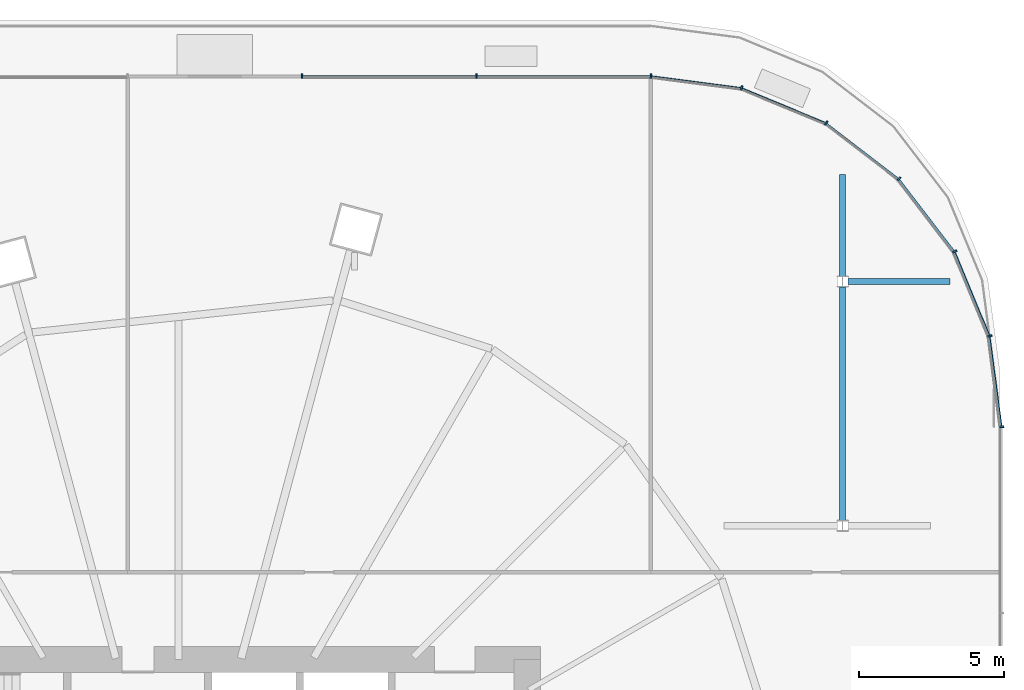
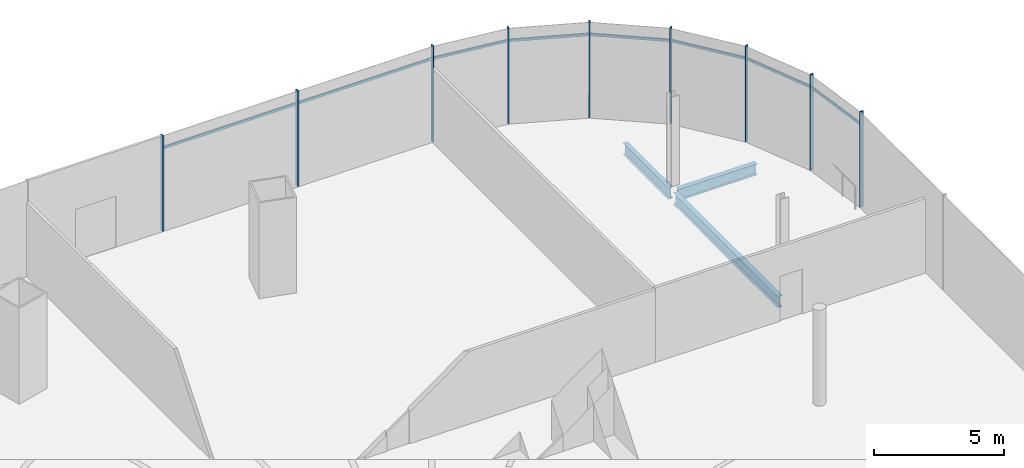
# One storey, part 30 of 52: 17 members, 3 beams, 1 element without a shape of its own.
"""IFC4 building model written with IfcOpenShell, lengths in metres."""

from ifc_helpers import new_model, si_unit, direction, frame, origin, origin_2d, place, context, subcontext, project, spatial, rectangle, i_section, extrude, material, material_profile, profile_set, type_object, element, aggregate, save


model = new_model("IFC4")

# Units and contexts
model_context = context("Model", 3, precision=1e-05, world=origin(), true_north=direction((0.0, 1.0)))
body_context = subcontext(model_context, "Body", "Model", "MODEL_VIEW")
ifc_project = project(units=[si_unit("LENGTHUNIT", "METRE"), si_unit("AREAUNIT", "SQUARE_METRE"), si_unit("VOLUMEUNIT", "CUBIC_METRE"), si_unit("PLANEANGLEUNIT", "RADIAN"), si_unit("MASSUNIT", "GRAM", prefix="KILO")], contexts=[model_context])

# Site, building, storey
site_placement = place(None, origin())
site = spatial("IfcSite", under=ifc_project, at=site_placement, CompositionType="ELEMENT")
building_placement = place(site_placement, origin())
building = spatial("IfcBuilding", under=site, at=building_placement, Name="Rimbun Link Towers", CompositionType="ELEMENT")
storey_placement = place(building_placement, frame((0.0, 0.0, 21.0)))
storey = spatial("IfcBuildingStorey", under=building, at=storey_placement, Name="L04", CompositionType="ELEMENT", Elevation=21.0)

# Curtain wall, members
ifc_material_1 = material(Name="Aluminium 6063-T6 and low-iron glass", Category="aluminium")
curtain_wall_type = type_object("IfcCurtainWallType", Name="CW3 podium shopfront", PredefinedType="NOTDEFINED", material=ifc_material_1)
curtain_wall_placement = place(storey_placement, origin())
curtain_wall = element("IfcCurtainWall", 1, at=curtain_wall_placement, inside=storey, type_object=curtain_wall_type, Name="CW3 L04 PD", PredefinedType="NOTDEFINED")
ifc_material_2 = material(Name="Aluminium 6063-T6", Category="aluminium")
ifc_material_profile_1 = material_profile(ifc_material_2, rectangle(XDim=0.14990234375, YDim=0.06005859375, at=origin_2d()), Name="MULLION 60X150")
ifc_profile_set_1 = profile_set([ifc_material_profile_1], Name="Aluminium 6063-T6")
member_type_1 = type_object("IfcMemberType", Name="CW3 mullion 60X150", PredefinedType="MULLION", material=ifc_profile_set_1)
member_1_placement = place(storey_placement, frame((60.074951171875, 16.0048828125, 0.0), z_axis=(0.0, 0.0, 1.0), x_axis=(0.997858781723, 0.065405288299, 0.0)))
member_1 = element("IfcMember", 2, at=member_1_placement, type_object=member_type_1, Name="CW3 mullion", PredefinedType="MULLION", context=body_context, shape_type="SweptSolid", body=[
    extrude(rectangle(XDim=0.14990234375, YDim=0.06005859375, at=origin_2d()), origin(), (0.0, 0.0, 1.0), 4.5),
])
member_2_placement = place(storey_placement, frame((59.66357421875, 19.125244140625, 0.0), z_axis=(0.0, 0.0, 1.0), x_axis=(0.965925910978, 0.258818729038, 0.0)))
member_2 = element("IfcMember", 3, at=member_2_placement, type_object=member_type_1, Name="CW3 mullion", PredefinedType="MULLION", context=body_context, shape_type="SweptSolid", body=[
    extrude(rectangle(XDim=0.14990234375, YDim=0.06005859375, at=origin_2d()), origin(), (0.0, 0.0, 1.0), 4.5),
])
member_3_placement = place(storey_placement, frame((58.457275390625, 22.03759765625, 0.0), z_axis=(0.0, 0.0, 1.0), x_axis=(0.866029040155, 0.499993701568, 0.0)))
member_3 = element("IfcMember", 4, at=member_3_placement, type_object=member_type_1, Name="CW3 mullion", PredefinedType="MULLION", context=body_context, shape_type="SweptSolid", body=[
    extrude(rectangle(XDim=0.14990234375, YDim=0.06005859375, at=origin_2d()), origin(), (0.0, 0.0, 1.0), 4.5),
])
member_4_placement = place(storey_placement, frame((56.538330078125, 24.538330078125, 0.0), z_axis=(0.0, 0.0, 1.0), x_axis=(0.707106781187, 0.707106781187, 0.0)))
member_4 = element("IfcMember", 5, at=member_4_placement, type_object=member_type_1, Name="CW3 mullion", PredefinedType="MULLION", context=body_context, shape_type="SweptSolid", body=[
    extrude(rectangle(XDim=0.14990234375, YDim=0.06005859375, at=origin_2d()), origin(), (0.0, 0.0, 1.0), 4.5),
])
member_5_placement = place(storey_placement, frame((54.03759765625, 26.457275390625, 0.0), z_axis=(0.0, 0.0, 1.0), x_axis=(0.499993701568, 0.866029040155, 0.0)))
member_5 = element("IfcMember", 6, at=member_5_placement, type_object=member_type_1, Name="CW3 mullion", PredefinedType="MULLION", context=body_context, shape_type="SweptSolid", body=[
    extrude(rectangle(XDim=0.14990234375, YDim=0.06005859375, at=origin_2d()), origin(), (0.0, 0.0, 1.0), 4.5),
])
member_6_placement = place(storey_placement, frame((51.125244140625, 27.66357421875, 0.0), z_axis=(0.0, 0.0, 1.0), x_axis=(0.258818729038, 0.965925910978, 0.0)))
member_6 = element("IfcMember", 7, at=member_6_placement, type_object=member_type_1, Name="CW3 mullion", PredefinedType="MULLION", context=body_context, shape_type="SweptSolid", body=[
    extrude(rectangle(XDim=0.14990234375, YDim=0.06005859375, at=origin_2d()), origin(), (0.0, 0.0, 1.0), 4.5),
])
member_7_placement = place(storey_placement, frame((48.0048828125, 28.074951171875, 0.0), z_axis=(0.0, 0.0, 1.0), x_axis=(0.065405288299, 0.997858781723, 0.0)))
member_7 = element("IfcMember", 8, at=member_7_placement, type_object=member_type_1, Name="CW3 mullion", PredefinedType="MULLION", context=body_context, shape_type="SweptSolid", body=[
    extrude(rectangle(XDim=0.14990234375, YDim=0.06005859375, at=origin_2d()), origin(), (0.0, 0.0, 1.0), 4.5),
])
member_8_placement = place(storey_placement, frame((42.0, 28.074951171875, 0.0), z_axis=(0.0, 0.0, 1.0), x_axis=(0.0, 1.0, 0.0)))
member_8 = element("IfcMember", 9, at=member_8_placement, type_object=member_type_1, Name="CW3 mullion", PredefinedType="MULLION", context=body_context, shape_type="SweptSolid", body=[
    extrude(rectangle(XDim=0.14990234375, YDim=0.06005859375, at=origin_2d()), origin(), (0.0, 0.0, 1.0), 4.5),
])
member_9_placement = place(storey_placement, frame((36.0, 28.074951171875, 0.0), z_axis=(0.0, 0.0, 1.0), x_axis=(0.0, 1.0, 0.0)))
member_9 = element("IfcMember", 10, at=member_9_placement, type_object=member_type_1, Name="CW3 mullion", PredefinedType="MULLION", context=body_context, shape_type="SweptSolid", body=[
    extrude(rectangle(XDim=0.14990234375, YDim=0.06005859375, at=origin_2d()), origin(), (0.0, 0.0, 1.0), 4.5),
])
ifc_material_3 = material(Name="Aluminium 6063-T6", Category="aluminium")
ifc_material_profile_2 = material_profile(ifc_material_3, rectangle(XDim=0.06005859375, YDim=0.1201171875, at=origin_2d()), Name="TRANSOM 60X120")
ifc_profile_set_2 = profile_set([ifc_material_profile_2], Name="Aluminium 6063-T6")
member_type_2 = type_object("IfcMemberType", Name="CW3 transom 60X120", PredefinedType="USERDEFINED", material=ifc_profile_set_2)
member_10_placement = place(storey_placement, frame((59.6484375, 19.0830078125, 3.89990234375), z_axis=(0.130555231638, -0.991441037829, 0.0), x_axis=(0.991441037829, 0.130555231638, 0.0)))
member_10 = element("IfcMember", 11, at=member_10_placement, type_object=member_type_2, Name="CW3 transom", ObjectType="TRANSOM", PredefinedType="USERDEFINED", context=body_context, shape_type="SweptSolid", body=[
    extrude(rectangle(XDim=0.06005859375, YDim=0.1201171875, at=origin_2d()), origin(), (0.0, 0.0, 1.0), 3.072509765625),
])
member_11_placement = place(storey_placement, frame((58.45361328125, 21.992919921875, 3.89990234375), z_axis=(0.382679289053, -0.923881248716, 0.0), x_axis=(0.923881248716, 0.382679289053, 0.0)))
member_11 = element("IfcMember", 12, at=member_11_placement, type_object=member_type_2, Name="CW3 transom", ObjectType="TRANSOM", PredefinedType="USERDEFINED", context=body_context, shape_type="SweptSolid", body=[
    extrude(rectangle(XDim=0.06005859375, YDim=0.1201171875, at=origin_2d()), origin(), (0.0, 0.0, 1.0), 3.072509765625),
])
member_12_placement = place(storey_placement, frame((56.54638671875, 24.494384765625, 3.89990234375), z_axis=(0.608773432314, -0.793344129687, 0.0), x_axis=(0.793344129687, 0.608773432314, 0.0)))
member_12 = element("IfcMember", 13, at=member_12_placement, type_object=member_type_2, Name="CW3 transom", ObjectType="TRANSOM", PredefinedType="USERDEFINED", context=body_context, shape_type="SweptSolid", body=[
    extrude(rectangle(XDim=0.06005859375, YDim=0.1201171875, at=origin_2d()), origin(), (0.0, 0.0, 1.0), 3.07275390625),
])
member_13_placement = place(storey_placement, frame((54.056640625, 26.4169921875, 3.89990234375), z_axis=(0.793344129687, -0.608773432314, 0.0), x_axis=(0.608773432314, 0.793344129687, 0.0)))
member_13 = element("IfcMember", 14, at=member_13_placement, type_object=member_type_2, Name="CW3 transom", ObjectType="TRANSOM", PredefinedType="USERDEFINED", context=body_context, shape_type="SweptSolid", body=[
    extrude(rectangle(XDim=0.06005859375, YDim=0.1201171875, at=origin_2d()), origin(), (0.0, 0.0, 1.0), 3.07275390625),
])
member_14_placement = place(storey_placement, frame((51.154296875, 27.62939453125, 3.89990234375), z_axis=(0.923881248716, -0.382679289053, 0.0), x_axis=(0.382679289053, 0.923881248716, 0.0)))
member_14 = element("IfcMember", 15, at=member_14_placement, type_object=member_type_2, Name="CW3 transom", ObjectType="TRANSOM", PredefinedType="USERDEFINED", context=body_context, shape_type="SweptSolid", body=[
    extrude(rectangle(XDim=0.06005859375, YDim=0.1201171875, at=origin_2d()), origin(), (0.0, 0.0, 1.0), 3.072509765625),
])
member_15_placement = place(storey_placement, frame((48.036865234375, 28.049560546875, 3.89990234375), z_axis=(0.991441037829, -0.130555231638, 0.0), x_axis=(0.130555231638, 0.991441037829, 0.0)))
member_15 = element("IfcMember", 16, at=member_15_placement, type_object=member_type_2, Name="CW3 transom", ObjectType="TRANSOM", PredefinedType="USERDEFINED", context=body_context, shape_type="SweptSolid", body=[
    extrude(rectangle(XDim=0.06005859375, YDim=0.1201171875, at=origin_2d()), origin(), (0.0, 0.0, 1.0), 3.072509765625),
])
member_16_placement = place(storey_placement, frame((42.030029296875, 28.053955078125, 3.89990234375), z_axis=(1.0, 0.0, 0.0), x_axis=(0.0, 1.0, 0.0)))
member_16 = element("IfcMember", 17, at=member_16_placement, type_object=member_type_2, Name="CW3 transom", ObjectType="TRANSOM", PredefinedType="USERDEFINED", context=body_context, shape_type="SweptSolid", body=[
    extrude(rectangle(XDim=0.06005859375, YDim=0.1201171875, at=origin_2d()), origin(), (0.0, 0.0, 1.0), 5.93994140625),
])
member_17_placement = place(storey_placement, frame((36.030029296875, 28.053955078125, 3.89990234375), z_axis=(1.0, 0.0, 0.0), x_axis=(0.0, 1.0, 0.0)))
member_17 = element("IfcMember", 18, at=member_17_placement, type_object=member_type_2, Name="CW3 transom", ObjectType="TRANSOM", PredefinedType="USERDEFINED", context=body_context, shape_type="SweptSolid", body=[
    extrude(rectangle(XDim=0.06005859375, YDim=0.1201171875, at=origin_2d()), origin(), (0.0, 0.0, 1.0), 5.93994140625),
])
aggregate(curtain_wall, [member_1, member_2, member_3, member_4, member_5, member_6, member_7, member_8, member_9, member_10, member_11, member_12, member_13, member_14, member_15, member_16, member_17])

# Beams
ifc_material_4 = material(Name="Steel S355J2", Category="steel")
ifc_material_profile_3 = material_profile(ifc_material_4, i_section(OverallWidth=0.209228515625, OverallDepth=0.533203125, WebThickness=0.010009765625, FlangeThickness=0.015625, at=origin_2d()), Name="UB 533x210x92")
ifc_profile_set_3 = profile_set([ifc_material_profile_3], Name="Steel S355J2")
beam_type = type_object("IfcBeamType", Name="UB 533x210x92", PredefinedType="BEAM", material=ifc_profile_set_3)
beam_1_placement = place(storey_placement, frame((54.785400390625, 21.0, -0.56640625), z_axis=(1.0, 0.0, 0.0), x_axis=(0.0, 1.0, 0.0)))
element("IfcBeam", 19, at=beam_1_placement, inside=storey, type_object=beam_type, Name="Grid beam L04 +21.0", PredefinedType="BEAM", context=body_context, shape_type="SweptSolid", body=[
    extrude(i_section(OverallWidth=0.209228515625, OverallDepth=0.533203125, WebThickness=0.010009765625, FlangeThickness=0.015625, at=origin_2d()), origin(), (0.0, 0.0, 1.0), 3.5),
])
beam_2_placement = place(storey_placement, frame((54.60009765625, 12.781005859375, -0.56640625), z_axis=(0.0, 1.0, 0.0), x_axis=(-1.0, 0.0, 0.0)))
element("IfcBeam", 20, at=beam_2_placement, inside=storey, type_object=beam_type, Name="Grid beam L04 +54.6", PredefinedType="BEAM", context=body_context, shape_type="SweptSolid", body=[
    extrude(i_section(OverallWidth=0.209228515625, OverallDepth=0.533203125, WebThickness=0.010009765625, FlangeThickness=0.015625, at=origin_2d()), origin(), (0.0, 0.0, 1.0), 8.0380859375),
])
beam_3_placement = place(storey_placement, frame((54.60009765625, 21.180908203125, -0.56640625), z_axis=(0.0, 1.0, 0.0), x_axis=(-1.0, 0.0, 0.0)))
element("IfcBeam", 21, at=beam_3_placement, inside=storey, type_object=beam_type, Name="Grid beam L04 +54.6", PredefinedType="BEAM", context=body_context, shape_type="SweptSolid", body=[
    extrude(i_section(OverallWidth=0.209228515625, OverallDepth=0.533203125, WebThickness=0.010009765625, FlangeThickness=0.015625, at=origin_2d()), origin(), (0.0, 0.0, 1.0), 3.5),
])

save(model, "model.ifc")
